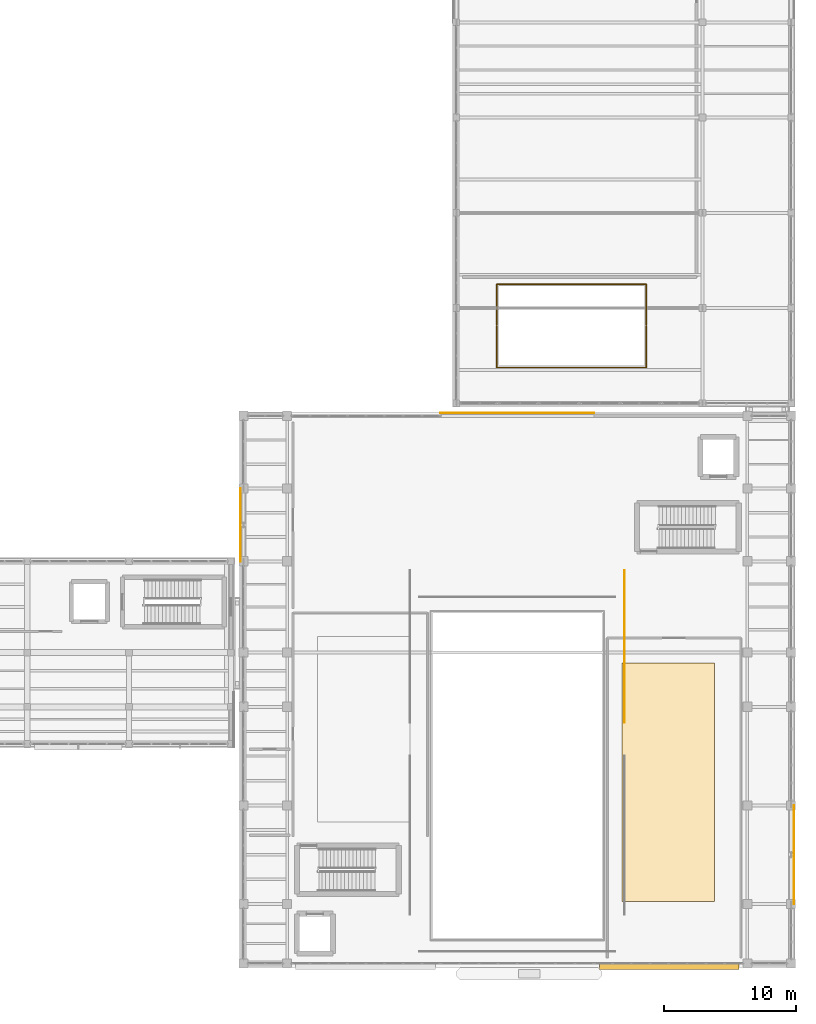
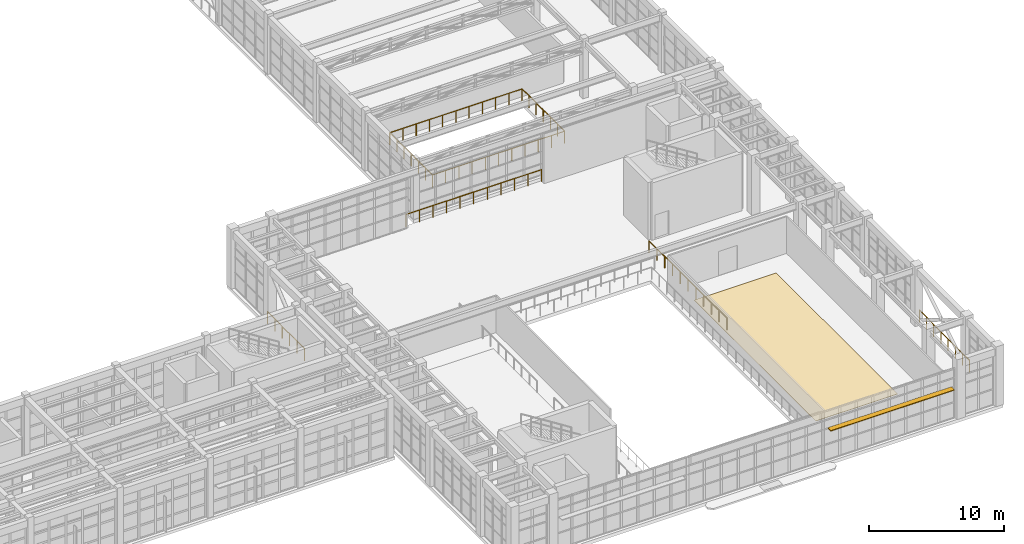
# One storey, part 101 of 103: 6 railings, 1 covering, 1 shading device.
"""IFC4 building model written with IfcOpenShell, lengths in metres."""

from ifc_helpers import new_model, si_unit, direction, frame, origin, origin_2d, place, context, subcontext, project, spatial, rectangle, circle, extrude, material, layer, layer_set, type_object, element, save


model = new_model("IFC4")

# Units and contexts
model_context = context("Model", 3, precision=1e-05, world=origin(), true_north=direction((0.0, 1.0)))
body_context = subcontext(model_context, "Body", "Model", "MODEL_VIEW")
ifc_project = project(units=[si_unit("LENGTHUNIT", "METRE"), si_unit("AREAUNIT", "SQUARE_METRE"), si_unit("VOLUMEUNIT", "CUBIC_METRE"), si_unit("PLANEANGLEUNIT", "RADIAN"), si_unit("MASSUNIT", "GRAM", prefix="KILO")], contexts=[model_context])

# Site, building, storey
site_placement = place(None, origin())
site = spatial("IfcSite", under=ifc_project, at=site_placement, CompositionType="ELEMENT")
building_placement = place(site_placement, origin())
building = spatial("IfcBuilding", under=site, at=building_placement, Name="Candilejo Ridge Gondola Terminal", CompositionType="ELEMENT")
storey_placement = place(building_placement, frame((0.0, 0.0, 9.0)))
storey = spatial("IfcBuildingStorey", under=building, at=storey_placement, Name="L02", CompositionType="ELEMENT", Elevation=9.0)

# Covering
ifc_material_1 = material(Name="Flamed Andean grey granite tactile paving 30 mm", Category="masonry")
ifc_layer = layer(ifc_material_1, 0.030029296875)
ifc_layer_set = layer_set([ifc_layer], Name="ARC-COV-FLOORING-GRANITE")
covering_type = type_object("IfcCoveringType", Name="ARC-COV-FLOORING-GRANITE", PredefinedType="FLOORING", material=ifc_layer_set)
covering_placement = place(storey_placement, frame((166.0, 20.0, 0.0), z_axis=(0.0, 0.0, 1.0), x_axis=(1.0, 0.0, 0.0)))
element("IfcCovering", 1, at=covering_placement, inside=storey, type_object=covering_type, Name="Tactile granite flooring FLR-V4-BOARD-E", PredefinedType="FLOORING", context=body_context, shape_type="SweptSolid", body=[
    extrude(rectangle(XDim=7.0, YDim=18.0, at=origin_2d()), origin(), (0.0, 0.0, 1.0), 0.030029296875),
])

# Railings
ifc_material_2 = material(Name="Hot-dip galvanised steel ASTM A500 Grade B", Category="steel")
railing_type_1 = type_object("IfcRailingType", Name="ARC-GUARD-BALUSTRADE-1150", PredefinedType="BALUSTRADE", material=ifc_material_2)
railing_1_placement = place(storey_placement, frame((153.050048828125, 54.4599609375, 0.0)))
element("IfcRailing", 2, at=railing_1_placement, inside=storey, type_object=railing_type_1, Name="Well balustrade GR-V5-L02-HOIST-S", PredefinedType="BALUSTRADE", context=body_context, shape_type="SweptSolid", body=[
    extrude(circle(Radius=0.02392578125, at=origin_2d()), frame((0.0, 0.0, 1.076171875), z_axis=(0.0, -1.0, 0.0), x_axis=(1.0, 0.0, 0.0)), (0.0, 0.0, 1.0), 3.10986328125),
    extrude(circle(Radius=0.02392578125, at=origin_2d()), frame((0.0, -3.10986328125, 1.076171875), z_axis=(1.0, 0.0, 0.0), x_axis=(0.0, 1.0, 0.0)), (0.0, 0.0, 1.0), 11.300048828125),
    extrude(circle(Radius=0.02392578125, at=origin_2d()), frame((11.300048828125, -3.10986328125, 1.076171875), z_axis=(0.0, 1.0, 0.0), x_axis=(-1.0, 0.0, 0.0)), (0.0, 0.0, 1.0), 3.10986328125),
    extrude(circle(Radius=0.02099609375, at=origin_2d()), origin(), (0.0, 0.0, 1.0), 1.052001953125),
    extrude(circle(Radius=0.02099609375, at=origin_2d()), frame((0.0, -1.03662109375, 0.0)), (0.0, 0.0, 1.0), 1.052001953125),
    extrude(circle(Radius=0.02099609375, at=origin_2d()), frame((0.0, -2.0732421875, 0.0)), (0.0, 0.0, 1.0), 1.052001953125),
    extrude(circle(Radius=0.02099609375, at=origin_2d()), frame((0.0, -3.10986328125, 0.0)), (0.0, 0.0, 1.0), 1.052001953125),
    extrude(circle(Radius=0.02099609375, at=origin_2d()), frame((1.1298828125, -3.10986328125, 0.0)), (0.0, 0.0, 1.0), 1.052001953125),
    extrude(circle(Radius=0.02099609375, at=origin_2d()), frame((2.260009765625, -3.10986328125, 0.0)), (0.0, 0.0, 1.0), 1.052001953125),
    extrude(circle(Radius=0.02099609375, at=origin_2d()), frame((3.39013671875, -3.10986328125, 0.0)), (0.0, 0.0, 1.0), 1.052001953125),
    extrude(circle(Radius=0.02099609375, at=origin_2d()), frame((4.52001953125, -3.10986328125, 0.0)), (0.0, 0.0, 1.0), 1.052001953125),
    extrude(circle(Radius=0.02099609375, at=origin_2d()), frame((5.64990234375, -3.10986328125, 0.0)), (0.0, 0.0, 1.0), 1.052001953125),
    extrude(circle(Radius=0.02099609375, at=origin_2d()), frame((6.780029296875, -3.10986328125, 0.0)), (0.0, 0.0, 1.0), 1.052001953125),
    extrude(circle(Radius=0.02099609375, at=origin_2d()), frame((7.909912109375, -3.10986328125, 0.0)), (0.0, 0.0, 1.0), 1.052001953125),
    extrude(circle(Radius=0.02099609375, at=origin_2d()), frame((9.0400390625, -3.10986328125, 0.0)), (0.0, 0.0, 1.0), 1.052001953125),
    extrude(circle(Radius=0.02099609375, at=origin_2d()), frame((10.169921875, -3.10986328125, 0.0)), (0.0, 0.0, 1.0), 1.052001953125),
    extrude(circle(Radius=0.02099609375, at=origin_2d()), frame((11.300048828125, -3.10986328125, 0.0)), (0.0, 0.0, 1.0), 1.052001953125),
    extrude(circle(Radius=0.02099609375, at=origin_2d()), frame((11.300048828125, -2.0732421875, 0.0)), (0.0, 0.0, 1.0), 1.052001953125),
    extrude(circle(Radius=0.02099609375, at=origin_2d()), frame((11.300048828125, -1.03662109375, 0.0)), (0.0, 0.0, 1.0), 1.052001953125),
    extrude(circle(Radius=0.02099609375, at=origin_2d()), frame((11.300048828125, 0.0, 0.0)), (0.0, 0.0, 1.0), 1.052001953125),
])
railing_2_placement = place(storey_placement, frame((153.050048828125, 54.5400390625, 0.0)))
element("IfcRailing", 3, at=railing_2_placement, inside=storey, type_object=railing_type_1, Name="Well balustrade GR-V5-L02-HOIST-N", PredefinedType="BALUSTRADE", context=body_context, shape_type="SweptSolid", body=[
    extrude(circle(Radius=0.02392578125, at=origin_2d()), frame((0.0, 0.0, 1.076171875), z_axis=(0.0, 1.0, 0.0), x_axis=(-1.0, 0.0, 0.0)), (0.0, 0.0, 1.0), 3.10986328125),
    extrude(circle(Radius=0.02392578125, at=origin_2d()), frame((0.0, 3.10986328125, 1.076171875), z_axis=(1.0, 0.0, 0.0), x_axis=(0.0, 1.0, 0.0)), (0.0, 0.0, 1.0), 11.300048828125),
    extrude(circle(Radius=0.02392578125, at=origin_2d()), frame((11.300048828125, 3.10986328125, 1.076171875), z_axis=(0.0, -1.0, 0.0), x_axis=(1.0, 0.0, 0.0)), (0.0, 0.0, 1.0), 3.10986328125),
    extrude(circle(Radius=0.02099609375, at=origin_2d()), origin(), (0.0, 0.0, 1.0), 1.052001953125),
    extrude(circle(Radius=0.02099609375, at=origin_2d()), frame((0.0, 1.03662109375, 0.0)), (0.0, 0.0, 1.0), 1.052001953125),
    extrude(circle(Radius=0.02099609375, at=origin_2d()), frame((0.0, 2.0732421875, 0.0)), (0.0, 0.0, 1.0), 1.052001953125),
    extrude(circle(Radius=0.02099609375, at=origin_2d()), frame((0.0, 3.10986328125, 0.0)), (0.0, 0.0, 1.0), 1.052001953125),
    extrude(circle(Radius=0.02099609375, at=origin_2d()), frame((1.1298828125, 3.10986328125, 0.0)), (0.0, 0.0, 1.0), 1.052001953125),
    extrude(circle(Radius=0.02099609375, at=origin_2d()), frame((2.260009765625, 3.10986328125, 0.0)), (0.0, 0.0, 1.0), 1.052001953125),
    extrude(circle(Radius=0.02099609375, at=origin_2d()), frame((3.39013671875, 3.10986328125, 0.0)), (0.0, 0.0, 1.0), 1.052001953125),
    extrude(circle(Radius=0.02099609375, at=origin_2d()), frame((4.52001953125, 3.10986328125, 0.0)), (0.0, 0.0, 1.0), 1.052001953125),
    extrude(circle(Radius=0.02099609375, at=origin_2d()), frame((5.64990234375, 3.10986328125, 0.0)), (0.0, 0.0, 1.0), 1.052001953125),
    extrude(circle(Radius=0.02099609375, at=origin_2d()), frame((6.780029296875, 3.10986328125, 0.0)), (0.0, 0.0, 1.0), 1.052001953125),
    extrude(circle(Radius=0.02099609375, at=origin_2d()), frame((7.909912109375, 3.10986328125, 0.0)), (0.0, 0.0, 1.0), 1.052001953125),
    extrude(circle(Radius=0.02099609375, at=origin_2d()), frame((9.0400390625, 3.10986328125, 0.0)), (0.0, 0.0, 1.0), 1.052001953125),
    extrude(circle(Radius=0.02099609375, at=origin_2d()), frame((10.169921875, 3.10986328125, 0.0)), (0.0, 0.0, 1.0), 1.052001953125),
    extrude(circle(Radius=0.02099609375, at=origin_2d()), frame((11.300048828125, 3.10986328125, 0.0)), (0.0, 0.0, 1.0), 1.052001953125),
    extrude(circle(Radius=0.02099609375, at=origin_2d()), frame((11.300048828125, 2.0732421875, 0.0)), (0.0, 0.0, 1.0), 1.052001953125),
    extrude(circle(Radius=0.02099609375, at=origin_2d()), frame((11.300048828125, 1.03662109375, 0.0)), (0.0, 0.0, 1.0), 1.052001953125),
    extrude(circle(Radius=0.02099609375, at=origin_2d()), frame((11.300048828125, 0.0, 0.0)), (0.0, 0.0, 1.0), 1.052001953125),
])
ifc_material_3 = material(Name="Hot-dip galvanised steel ASTM A500 Grade B", Category="steel")
railing_type_2 = type_object("IfcRailingType", Name="ARC-GUARD-GLASS-1150", PredefinedType="GUARDRAIL", material=ifc_material_3)
railing_3_placement = place(storey_placement, frame((133.679931640625, 36.699951171875, 0.0)))
element("IfcRailing", 4, at=railing_3_placement, inside=storey, type_object=railing_type_2, Name="Deck edge guard GR-V4-L02-BRW", PredefinedType="GUARDRAIL", context=body_context, shape_type="SweptSolid", body=[
    extrude(circle(Radius=0.02392578125, at=origin_2d()), frame((0.0, 0.0, 1.076171875), z_axis=(0.0, 1.0, 0.0), x_axis=(-1.0, 0.0, 0.0)), (0.0, 0.0, 1.0), 5.5),
    extrude(circle(Radius=0.02099609375, at=origin_2d()), origin(), (0.0, 0.0, 1.0), 1.052001953125),
    extrude(circle(Radius=0.02099609375, at=origin_2d()), frame((0.0, 1.10009765625, 0.0)), (0.0, 0.0, 1.0), 1.052001953125),
    extrude(circle(Radius=0.02099609375, at=origin_2d()), frame((0.0, 2.199951171875, 0.0)), (0.0, 0.0, 1.0), 1.052001953125),
    extrude(circle(Radius=0.02099609375, at=origin_2d()), frame((0.0, 3.300048828125, 0.0)), (0.0, 0.0, 1.0), 1.052001953125),
    extrude(circle(Radius=0.02099609375, at=origin_2d()), frame((0.0, 4.39990234375, 0.0)), (0.0, 0.0, 1.0), 1.052001953125),
    extrude(circle(Radius=0.02099609375, at=origin_2d()), frame((0.0, 5.5, 0.0)), (0.0, 0.0, 1.0), 1.052001953125),
])
railing_4_placement = place(storey_placement, frame((175.52001953125, 10.800048828125, 0.0)))
element("IfcRailing", 5, at=railing_4_placement, inside=storey, type_object=railing_type_2, Name="Deck edge guard GR-V4-L02-BRE", PredefinedType="GUARDRAIL", context=body_context, shape_type="SweptSolid", body=[
    extrude(circle(Radius=0.02392578125, at=origin_2d()), frame((0.0, 0.0, 1.076171875), z_axis=(0.0, 1.0, 0.0), x_axis=(-1.0, 0.0, 0.0)), (0.0, 0.0, 1.0), 7.449951171875),
    extrude(circle(Radius=0.02099609375, at=origin_2d()), origin(), (0.0, 0.0, 1.0), 1.052001953125),
    extrude(circle(Radius=0.02099609375, at=origin_2d()), frame((0.0, 1.064208984375, 0.0)), (0.0, 0.0, 1.0), 1.052001953125),
    extrude(circle(Radius=0.02099609375, at=origin_2d()), frame((0.0, 2.128662109375, 0.0)), (0.0, 0.0, 1.0), 1.052001953125),
    extrude(circle(Radius=0.02099609375, at=origin_2d()), frame((0.0, 3.19287109375, 0.0)), (0.0, 0.0, 1.0), 1.052001953125),
    extrude(circle(Radius=0.02099609375, at=origin_2d()), frame((0.0, 4.257080078125, 0.0)), (0.0, 0.0, 1.0), 1.052001953125),
    extrude(circle(Radius=0.02099609375, at=origin_2d()), frame((0.0, 5.3212890625, 0.0)), (0.0, 0.0, 1.0), 1.052001953125),
    extrude(circle(Radius=0.02099609375, at=origin_2d()), frame((0.0, 6.3857421875, 0.0)), (0.0, 0.0, 1.0), 1.052001953125),
    extrude(circle(Radius=0.02099609375, at=origin_2d()), frame((0.0, 7.449951171875, 0.0)), (0.0, 0.0, 1.0), 1.052001953125),
])
railing_5_placement = place(storey_placement, frame((148.800048828125, 47.919921875, 0.0)))
element("IfcRailing", 6, at=railing_5_placement, inside=storey, type_object=railing_type_2, Name="Deck edge guard GR-V4-L02-ROPE", PredefinedType="GUARDRAIL", context=body_context, shape_type="SweptSolid", body=[
    extrude(circle(Radius=0.02392578125, at=origin_2d()), frame((0.0, 0.0, 1.076171875), z_axis=(1.0, 0.0, 0.0), x_axis=(0.0, 1.0, 0.0)), (0.0, 0.0, 1.0), 11.599853515625),
    extrude(circle(Radius=0.02099609375, at=origin_2d()), origin(), (0.0, 0.0, 1.0), 1.052001953125),
    extrude(circle(Radius=0.02099609375, at=origin_2d()), frame((1.159912109375, 0.0, 0.0)), (0.0, 0.0, 1.0), 1.052001953125),
    extrude(circle(Radius=0.02099609375, at=origin_2d()), frame((2.320068359375, 0.0, 0.0)), (0.0, 0.0, 1.0), 1.052001953125),
    extrude(circle(Radius=0.02099609375, at=origin_2d()), frame((3.47998046875, 0.0, 0.0)), (0.0, 0.0, 1.0), 1.052001953125),
    extrude(circle(Radius=0.02099609375, at=origin_2d()), frame((4.639892578125, 0.0, 0.0)), (0.0, 0.0, 1.0), 1.052001953125),
    extrude(circle(Radius=0.02099609375, at=origin_2d()), frame((5.7998046875, 0.0, 0.0)), (0.0, 0.0, 1.0), 1.052001953125),
    extrude(circle(Radius=0.02099609375, at=origin_2d()), frame((6.9599609375, 0.0, 0.0)), (0.0, 0.0, 1.0), 1.052001953125),
    extrude(circle(Radius=0.02099609375, at=origin_2d()), frame((8.119873046875, 0.0, 0.0)), (0.0, 0.0, 1.0), 1.052001953125),
    extrude(circle(Radius=0.02099609375, at=origin_2d()), frame((9.27978515625, 0.0, 0.0)), (0.0, 0.0, 1.0), 1.052001953125),
    extrude(circle(Radius=0.02099609375, at=origin_2d()), frame((10.43994140625, 0.0, 0.0)), (0.0, 0.0, 1.0), 1.052001953125),
    extrude(circle(Radius=0.02099609375, at=origin_2d()), frame((11.599853515625, 0.0, 0.0)), (0.0, 0.0, 1.0), 1.052001953125),
])
ifc_material_4 = material(Name="Hot-dip galvanised steel ASTM A500 Grade B", Category="steel")
railing_type_3 = type_object("IfcRailingType", Name="GON-GUIDE-BUMPER", PredefinedType="USERDEFINED", material=ifc_material_4)
railing_6_placement = place(storey_placement, frame((162.699951171875, 24.5, 0.0)))
element("IfcRailing", 7, at=railing_6_placement, inside=storey, type_object=railing_type_3, Name="Gondola passenger guide rail GB-V4-E2", ObjectType="GUIDE BARRIER", PredefinedType="USERDEFINED", context=body_context, shape_type="SweptSolid", body=[
    extrude(circle(Radius=0.02392578125, at=origin_2d()), frame((0.0, 0.0, 1.05615234375), z_axis=(0.0, 1.0, 0.0), x_axis=(-1.0, 0.0, 0.0)), (0.0, 0.0, 1.0), 11.5),
    extrude(circle(Radius=0.02099609375, at=origin_2d()), origin(), (0.0, 0.0, 1.0), 1.031982421875),
    extrude(circle(Radius=0.02099609375, at=origin_2d()), frame((0.0, 1.14990234375, 0.0)), (0.0, 0.0, 1.0), 1.031982421875),
    extrude(circle(Radius=0.02099609375, at=origin_2d()), frame((0.0, 2.300048828125, 0.0)), (0.0, 0.0, 1.0), 1.031982421875),
    extrude(circle(Radius=0.02099609375, at=origin_2d()), frame((0.0, 3.449951171875, 0.0)), (0.0, 0.0, 1.0), 1.031982421875),
    extrude(circle(Radius=0.02099609375, at=origin_2d()), frame((0.0, 4.60009765625, 0.0)), (0.0, 0.0, 1.0), 1.031982421875),
    extrude(circle(Radius=0.02099609375, at=origin_2d()), frame((0.0, 5.75, 0.0)), (0.0, 0.0, 1.0), 1.031982421875),
    extrude(circle(Radius=0.02099609375, at=origin_2d()), frame((0.0, 6.89990234375, 0.0)), (0.0, 0.0, 1.0), 1.031982421875),
    extrude(circle(Radius=0.02099609375, at=origin_2d()), frame((0.0, 8.050048828125, 0.0)), (0.0, 0.0, 1.0), 1.031982421875),
    extrude(circle(Radius=0.02099609375, at=origin_2d()), frame((0.0, 9.199951171875, 0.0)), (0.0, 0.0, 1.0), 1.031982421875),
    extrude(circle(Radius=0.02099609375, at=origin_2d()), frame((0.0, 10.35009765625, 0.0)), (0.0, 0.0, 1.0), 1.031982421875),
    extrude(circle(Radius=0.02099609375, at=origin_2d()), frame((0.0, 11.5, 0.0)), (0.0, 0.0, 1.0), 1.031982421875),
])

# Shading device
ifc_material_5 = material(Name="Anodised aluminium AA 6063-T6", Category="aluminum")
shading_device_type = type_object("IfcShadingDeviceType", Name="ARC-SHADING-JALOUSIE-450", PredefinedType="JALOUSIE", material=ifc_material_5)
shading_device_placement = place(storey_placement, frame((166.074951171875, 6.06103515625, 2.817626953125)))
element("IfcShadingDevice", 8, at=shading_device_placement, inside=storey, type_object=shading_device_type, Name="Horizontal solar louvre LVR-V4-09", PredefinedType="JALOUSIE", context=body_context, shape_type="SweptSolid", body=[
    extrude(rectangle(XDim=10.550048828125, YDim=0.449951171875, at=origin_2d()), origin(), (0.0, 0.0, 1.0), 0.06494140625),
])

save(model, "model.ifc")
